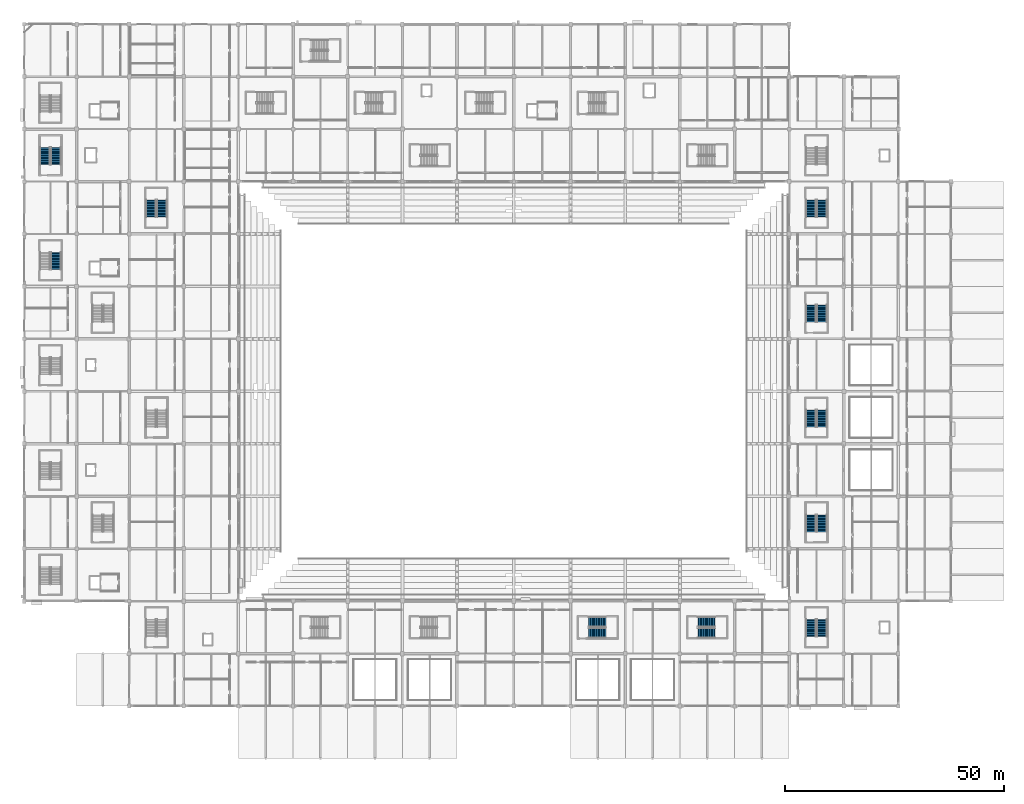
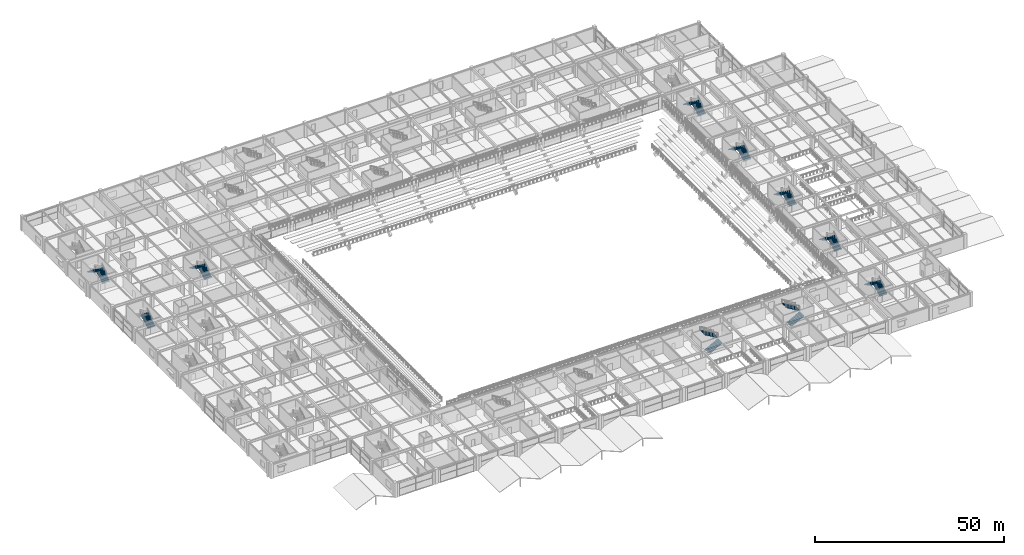
# One storey, part 95 of 134: 19 stair flights, 10 elements without a shape of their own.
"""IFC4 building model written with IfcOpenShell, lengths in metres."""

import ifcopenshell
import ifcopenshell.guid

model = None  # the IFC model being written
_history = None  # IfcOwnerHistory: only IFC2X3 demands one
_inside = {}  # id of a spatial element -> (the spatial element, [elements in it])
_under = {}  # id of a project, library or spatial element -> (it, [spatial elements below it])
_declared = {}  # id of a project -> (the project, [libraries it declares])
_typed = {}  # id of a type object -> (the type object, [elements of that type])
_made_of = {}  # id of a material, layer set ... -> (it, [elements and type objects made of it])


def new_model(schema):
    """Start an empty IFC model of exactly this schema.

    Asked for "IFC4X3", IfcOpenShell would pick the latest addendum, in which some entities
    have other attributes; the version numbers below select the first issue.
    IFC2X3 requires an IfcOwnerHistory on every rooted entity: one is made here for all.
    """
    global model, _history
    if schema == "IFC4X3":
        model = ifcopenshell.file(schema_version=(4, 3, 0, 0))
    else:
        model = ifcopenshell.file(schema=schema)
    _inside.clear()
    _under.clear()
    _declared.clear()
    _typed.clear()
    _made_of.clear()
    _history = None
    if model.schema == "IFC2X3":
        org = make("IfcOrganization", Name="unknown")
        user = make(
            "IfcPersonAndOrganization",
            ThePerson=make("IfcPerson", FamilyName="unknown"),
            TheOrganization=org,
        )
        app = make(
            "IfcApplication",
            ApplicationDeveloper=org,
            Version="unknown",
            ApplicationFullName="unknown",
            ApplicationIdentifier="unknown",
        )
        _history = make(
            "IfcOwnerHistory",
            OwningUser=user,
            OwningApplication=app,
            ChangeAction="ADDED",
            CreationDate=0,
        )
    return model


def make(cls, **values):
    """One entity of the class cls with the attributes given. An attribute that is None is left unset."""
    return model.create_entity(
        cls, **{name: value for name, value in values.items() if value is not None}
    )


def rooted(cls, **values):
    """An entity with a GlobalId (a new one), such as an element, a storey or a relation."""
    return make(cls, GlobalId=ifcopenshell.guid.new(), OwnerHistory=_history, **values)


def si_unit(unit_type, name, prefix=None):
    """IfcSIUnit, for example si_unit("LENGTHUNIT", "METRE", prefix="MILLI")."""
    return make("IfcSIUnit", UnitType=unit_type, Prefix=prefix, Name=name)


def assignment(units):
    """IfcUnitAssignment: the units of a project."""
    return None if units is None else make("IfcUnitAssignment", Units=units)


def point(xyz):
    """IfcCartesianPoint."""
    return None if xyz is None else make("IfcCartesianPoint", Coordinates=xyz)


def direction(xyz):
    """IfcDirection."""
    return None if xyz is None else make("IfcDirection", DirectionRatios=xyz)


def frame(location, z_axis=None, x_axis=None):
    """IfcAxis2Placement3D, a coordinate frame: its origin and axes. An axis left out is left unset."""
    return make(
        "IfcAxis2Placement3D",
        Location=point(location),
        Axis=direction(z_axis),
        RefDirection=direction(x_axis),
    )


def origin():
    """The frame at (0, 0, 0) with its axes left unset."""
    return frame((0.0, 0.0, 0.0))


def place(relative_to, where):
    """IfcLocalPlacement: puts the frame where relative to a parent placement (None: the world)."""
    return make(
        "IfcLocalPlacement", PlacementRelTo=relative_to, RelativePlacement=where
    )


def context(
    kind, dimensions, precision=None, world=None, true_north=None, identifier=None
):
    """IfcGeometricRepresentationContext, for example the 3D "Model" context."""
    return make(
        "IfcGeometricRepresentationContext",
        ContextIdentifier=identifier,
        ContextType=kind,
        CoordinateSpaceDimension=dimensions,
        Precision=precision,
        WorldCoordinateSystem=world,
        TrueNorth=true_north,
    )


def subcontext(parent, identifier, kind, view, scale=None):
    """IfcGeometricRepresentationSubContext, for example "Body" below "Model"."""
    return make(
        "IfcGeometricRepresentationSubContext",
        ContextIdentifier=identifier,
        ContextType=kind,
        ParentContext=parent,
        TargetScale=scale,
        TargetView=view,
    )


def project(units=None, contexts=None):
    """IfcProject with its units and contexts."""
    return rooted(
        "IfcProject",
        Name="project",
        RepresentationContexts=contexts,
        UnitsInContext=assignment(units),
    )


def spatial(cls, under=None, at=None, **own):
    """A site, building, storey or space (cls), placed at a placement, below another one or the project."""
    s = rooted(cls, ObjectPlacement=at, **own)
    if under is not None:
        _under.setdefault(under.id(), (under, []))[1].append(s)
    return s


def polyline(points):
    """IfcPolyline through the points."""
    return make("IfcPolyline", Points=[point(p) for p in points])


def outline(outer, holes=None, kind="AREA"):
    """IfcArbitraryClosedProfileDef: a profile drawn as a closed curve; with holes, ...WithVoids."""
    if holes is None:
        return make("IfcArbitraryClosedProfileDef", ProfileType=kind, OuterCurve=outer)
    return make(
        "IfcArbitraryProfileDefWithVoids",
        ProfileType=kind,
        OuterCurve=outer,
        InnerCurves=holes,
    )


def extrude(swept, where, along, depth):
    """IfcExtrudedAreaSolid: the profile swept, set in the frame where, extruded along a direction by depth."""
    return make(
        "IfcExtrudedAreaSolid",
        SweptArea=swept,
        Position=where,
        ExtrudedDirection=direction(along),
        Depth=depth,
    )


def shape(context_of_items, identifier, shape_type, items):
    """IfcShapeRepresentation: the items that make up one representation, for example the "Body"."""
    return make(
        "IfcShapeRepresentation",
        ContextOfItems=context_of_items,
        RepresentationIdentifier=identifier,
        RepresentationType=shape_type,
        Items=items,
    )


def material(Name=None, Category=None):
    """IfcMaterial."""
    return make("IfcMaterial", Name=Name, Category=Category)


def made_of(thing, what):
    """Note that an element or type object is made of a material, layer set ...; save() writes the relation."""
    if what is not None:
        _made_of.setdefault(what.id(), (what, []))[1].append(thing)
    return thing


def type_object(cls, material=None, **own):
    """A type object (cls), such as IfcWallType, which elements share."""
    return made_of(rooted(cls, **own), material)


def element(
    cls,
    number,
    at=None,
    inside=None,
    cuts=None,
    type_object=None,
    material=None,
    context=None,
    identifier="Body",
    shape_type=None,
    held_by="IfcProductDefinitionShape",
    body=None,
    shapes=None,
    **own,
):
    """One element of the class cls, such as IfcWall. Its Tag is "e" and its number.

    at: its placement. inside: the storey or other place that contains it. cuts: it is an
    opening in that element (IfcRelVoidsElement). A single representation is given by context,
    identifier, shape_type and body (its items); several are given by shapes. held_by: the class
    of the entity that holds the representations. save() writes the other relations.
    """
    e = rooted(cls, Tag="e%d" % number, ObjectPlacement=at, **own)
    if body is not None:
        shapes = [shape(context, identifier, shape_type, body)]
    if shapes is not None:
        e.Representation = make(held_by, Representations=shapes)
    if inside is not None:
        _inside.setdefault(inside.id(), (inside, []))[1].append(e)
    if cuts is not None:
        rooted(
            "IfcRelVoidsElement", RelatingBuildingElement=cuts, RelatedOpeningElement=e
        )
    if type_object is not None:
        _typed.setdefault(type_object.id(), (type_object, []))[1].append(e)
    return made_of(e, material)


def aggregate(whole, parts):
    """IfcRelAggregates: a whole, such as a stair, and the parts it consists of."""
    return rooted("IfcRelAggregates", RelatingObject=whole, RelatedObjects=parts)


def save(model, path):
    """Write the relations noted so far, then the file.

    IfcRelAggregates (storeys below a building ...), IfcRelContainedInSpatialStructure (elements
    in a storey), IfcRelDefinesByType, IfcRelAssociatesMaterial and IfcRelDeclares: one each for
    every whole, place, type object, material and project.
    """
    for whole, parts in _under.values():
        aggregate(whole, parts)
    for where, things in _inside.values():
        rooted(
            "IfcRelContainedInSpatialStructure",
            RelatedElements=things,
            RelatingStructure=where,
        )
    for kind, things in _typed.values():
        rooted("IfcRelDefinesByType", RelatedObjects=things, RelatingType=kind)
    for what, things in _made_of.values():
        rooted("IfcRelAssociatesMaterial", RelatedObjects=things, RelatingMaterial=what)
    for by, libraries in _declared.values():
        rooted("IfcRelDeclares", RelatingContext=by, RelatedDefinitions=libraries)
    model.write(path)


model = new_model("IFC4")

# Units and contexts
model_context = context("Model", 3, precision=1e-05, world=origin(), true_north=direction((0.0, 1.0)))
body_context = subcontext(model_context, "Body", "Model", "MODEL_VIEW")
ifc_project = project(units=[si_unit("LENGTHUNIT", "METRE"), si_unit("AREAUNIT", "SQUARE_METRE"), si_unit("VOLUMEUNIT", "CUBIC_METRE"), si_unit("PLANEANGLEUNIT", "RADIAN"), si_unit("MASSUNIT", "GRAM", prefix="KILO")], contexts=[model_context])

# Site, building, storey
site_placement = place(None, origin())
site = spatial("IfcSite", under=ifc_project, at=site_placement, CompositionType="ELEMENT")
building_placement = place(site_placement, origin())
building = spatial("IfcBuilding", under=site, at=building_placement, Name="Kazenohara Klinker Stadium", CompositionType="ELEMENT")
storey_placement = place(building_placement, frame((0.0, 0.0, 5.39990234375)))
storey = spatial("IfcBuildingStorey", under=building, at=storey_placement, Name="L01", CompositionType="ELEMENT", Elevation=5.39990234375)

# Stair, stair flights
ifc_material = material(Name="Concrete C40/50", Category="concrete")
stair_type_1 = type_object("IfcStairType", Name="STR-DL-2300", PredefinedType="HALF_TURN_STAIR", material=ifc_material)
stair_1_placement = place(storey_placement, origin())
stair_1 = element("IfcStair", 1, at=stair_1_placement, inside=storey, type_object=stair_type_1, Name="L01 Enclosed escape stair ST05", PredefinedType="HALF_TURN_STAIR")
stair_flight_type_1 = type_object("IfcStairFlightType", Name="FLT-DL-2300-4800", PredefinedType="STRAIGHT", material=ifc_material)
stair_flight_1_placement = place(storey_placement, frame((7.25, 135.840087890625, 0.0), z_axis=(0.0, 0.0, 1.0), x_axis=(0.0, 1.0, 0.0)))
stair_flight_1 = element("IfcStairFlight", 2, at=stair_flight_1_placement, type_object=stair_flight_type_1, Name="ST05 flight 1", NumberOfRisers=15, NumberOfTreads=14, PredefinedType="STRAIGHT", RiserHeight=0.16, TreadLength=0.28, context=body_context, shape_type="SweptSolid", body=[
    extrude(outline(polyline([(0.0, 0.0), (0.0, 0.159912109375), (0.280029296875, 0.159912109375), (0.280029296875, 0.320068359375), (0.56005859375, 0.320068359375), (0.56005859375, 0.47998046875), (0.840087890625, 0.47998046875), (0.840087890625, 0.639892578125), (1.1201171875, 0.639892578125), (1.1201171875, 0.800048828125), (1.39990234375, 0.800048828125), (1.39990234375, 0.9599609375), (1.679931640625, 0.9599609375), (1.679931640625, 1.1201171875), (1.9599609375, 1.1201171875), (1.9599609375, 1.280029296875), (2.239990234375, 1.280029296875), (2.239990234375, 1.43994140625), (2.52001953125, 1.43994140625), (2.52001953125, 1.60009765625), (2.800048828125, 1.60009765625), (2.800048828125, 1.760009765625), (3.080078125, 1.760009765625), (3.080078125, 1.919921875), (3.360107421875, 1.919921875), (3.360107421875, 2.080078125), (3.639892578125, 2.080078125), (3.639892578125, 2.239990234375), (3.919921875, 2.239990234375), (3.919921875, 2.39990234375), (3.919921875, 2.0673828125), (0.30224609375, 0.0), (0.0, 0.0)])), frame((0.0, 1.14990234375, 0.0), z_axis=(0.0, -1.0, 0.0), x_axis=(1.0, 0.0, 0.0)), (0.0, 0.0, 1.0), 2.300048828125),
])
stair_flight_2_placement = place(storey_placement, frame((4.75, 139.760009765625, 2.400146484375), z_axis=(0.0, 0.0, 1.0), x_axis=(0.0, -1.0, 0.0)))
stair_flight_2 = element("IfcStairFlight", 3, at=stair_flight_2_placement, type_object=stair_flight_type_1, Name="ST05 flight 2", NumberOfRisers=15, NumberOfTreads=14, PredefinedType="STRAIGHT", RiserHeight=0.16, TreadLength=0.28, context=body_context, shape_type="SweptSolid", body=[
    extrude(outline(polyline([(0.0, 0.0), (0.0, 0.159912109375), (0.280029296875, 0.159912109375), (0.280029296875, 0.320068359375), (0.56005859375, 0.320068359375), (0.56005859375, 0.47998046875), (0.840087890625, 0.47998046875), (0.840087890625, 0.639892578125), (1.1201171875, 0.639892578125), (1.1201171875, 0.800048828125), (1.39990234375, 0.800048828125), (1.39990234375, 0.9599609375), (1.679931640625, 0.9599609375), (1.679931640625, 1.1201171875), (1.9599609375, 1.1201171875), (1.9599609375, 1.280029296875), (2.239990234375, 1.280029296875), (2.239990234375, 1.43994140625), (2.52001953125, 1.43994140625), (2.52001953125, 1.60009765625), (2.800048828125, 1.60009765625), (2.800048828125, 1.760009765625), (3.080078125, 1.760009765625), (3.080078125, 1.919921875), (3.360107421875, 1.919921875), (3.360107421875, 2.080078125), (3.639892578125, 2.080078125), (3.639892578125, 2.239990234375), (3.919921875, 2.239990234375), (3.919921875, 2.39990234375), (3.919921875, 2.0673828125), (0.30224609375, 0.0), (0.0, 0.0)])), frame((0.0, 1.14990234375, 0.0), z_axis=(0.0, -1.0, 0.0), x_axis=(1.0, 0.0, 0.0)), (0.0, 0.0, 1.0), 2.300048828125),
])
aggregate(stair_1, [stair_flight_1, stair_flight_2])

stair_2_placement = place(storey_placement, origin())
stair_2 = element("IfcStair", 4, at=stair_2_placement, inside=storey, type_object=stair_type_1, Name="L01 Enclosed escape stair ST21", PredefinedType="HALF_TURN_STAIR")
stair_flight_3_placement = place(storey_placement, frame((182.5, 51.840087890625, 0.0), z_axis=(0.0, 0.0, 1.0), x_axis=(0.0, 1.0, 0.0)))
stair_flight_3 = element("IfcStairFlight", 5, at=stair_flight_3_placement, type_object=stair_flight_type_1, Name="ST21 flight 1", NumberOfRisers=15, NumberOfTreads=14, PredefinedType="STRAIGHT", RiserHeight=0.16, TreadLength=0.28, context=body_context, shape_type="SweptSolid", body=[
    extrude(outline(polyline([(0.0, 0.0), (0.0, 0.159912109375), (0.280029296875, 0.159912109375), (0.280029296875, 0.320068359375), (0.56005859375, 0.320068359375), (0.56005859375, 0.47998046875), (0.840087890625, 0.47998046875), (0.840087890625, 0.639892578125), (1.1201171875, 0.639892578125), (1.1201171875, 0.800048828125), (1.39990234375, 0.800048828125), (1.39990234375, 0.9599609375), (1.679931640625, 0.9599609375), (1.679931640625, 1.1201171875), (1.9599609375, 1.1201171875), (1.9599609375, 1.280029296875), (2.239990234375, 1.280029296875), (2.239990234375, 1.43994140625), (2.52001953125, 1.43994140625), (2.52001953125, 1.60009765625), (2.800048828125, 1.60009765625), (2.800048828125, 1.760009765625), (3.080078125, 1.760009765625), (3.080078125, 1.919921875), (3.360107421875, 1.919921875), (3.360107421875, 2.080078125), (3.639892578125, 2.080078125), (3.639892578125, 2.239990234375), (3.919921875, 2.239990234375), (3.919921875, 2.39990234375), (3.919921875, 2.0673828125), (0.30224609375, 0.0), (0.0, 0.0)])), frame((0.0, 1.14990234375, 0.0), z_axis=(0.0, -1.0, 0.0), x_axis=(1.0, 0.0, 0.0)), (0.0, 0.0, 1.0), 2.300048828125),
])
stair_flight_4_placement = place(storey_placement, frame((180.0, 55.760009765625, 2.400146484375), z_axis=(0.0, 0.0, 1.0), x_axis=(0.0, -1.0, 0.0)))
stair_flight_4 = element("IfcStairFlight", 6, at=stair_flight_4_placement, type_object=stair_flight_type_1, Name="ST21 flight 2", NumberOfRisers=15, NumberOfTreads=14, PredefinedType="STRAIGHT", RiserHeight=0.16, TreadLength=0.28, context=body_context, shape_type="SweptSolid", body=[
    extrude(outline(polyline([(0.0, 0.0), (0.0, 0.159912109375), (0.280029296875, 0.159912109375), (0.280029296875, 0.320068359375), (0.56005859375, 0.320068359375), (0.56005859375, 0.47998046875), (0.840087890625, 0.47998046875), (0.840087890625, 0.639892578125), (1.1201171875, 0.639892578125), (1.1201171875, 0.800048828125), (1.39990234375, 0.800048828125), (1.39990234375, 0.9599609375), (1.679931640625, 0.9599609375), (1.679931640625, 1.1201171875), (1.9599609375, 1.1201171875), (1.9599609375, 1.280029296875), (2.239990234375, 1.280029296875), (2.239990234375, 1.43994140625), (2.52001953125, 1.43994140625), (2.52001953125, 1.60009765625), (2.800048828125, 1.60009765625), (2.800048828125, 1.760009765625), (3.080078125, 1.760009765625), (3.080078125, 1.919921875), (3.360107421875, 1.919921875), (3.360107421875, 2.080078125), (3.639892578125, 2.080078125), (3.639892578125, 2.239990234375), (3.919921875, 2.239990234375), (3.919921875, 2.39990234375), (3.919921875, 2.0673828125), (0.30224609375, 0.0), (0.0, 0.0)])), frame((0.0, 1.14990234375, 0.0), z_axis=(0.0, -1.0, 0.0), x_axis=(1.0, 0.0, 0.0)), (0.0, 0.0, 1.0), 2.300048828125),
])
aggregate(stair_2, [stair_flight_3, stair_flight_4])

stair_type_2 = type_object("IfcStairType", Name="STR-DL-2310", PredefinedType="HALF_TURN_STAIR", material=ifc_material)
stair_3_placement = place(storey_placement, origin())
stair_3 = element("IfcStair", 7, at=stair_3_placement, inside=storey, type_object=stair_type_2, Name="L01 Enclosed escape stair ST18", PredefinedType="HALF_TURN_STAIR")
stair_flight_type_2 = type_object("IfcStairFlightType", Name="FLT-DL-2310-4800", PredefinedType="STRAIGHT", material=ifc_material)
stair_flight_5_placement = place(storey_placement, frame((31.5048828125, 123.85009765625, 0.0), z_axis=(0.0, 0.0, 1.0), x_axis=(0.0, 1.0, 0.0)))
stair_flight_5 = element("IfcStairFlight", 8, at=stair_flight_5_placement, type_object=stair_flight_type_2, Name="ST18 flight 1", NumberOfRisers=15, NumberOfTreads=14, PredefinedType="STRAIGHT", RiserHeight=0.16, TreadLength=0.28, context=body_context, shape_type="SweptSolid", body=[
    extrude(outline(polyline([(0.0, 0.0), (0.0, 0.159912109375), (0.280029296875, 0.159912109375), (0.280029296875, 0.320068359375), (0.56005859375, 0.320068359375), (0.56005859375, 0.47998046875), (0.840087890625, 0.47998046875), (0.840087890625, 0.639892578125), (1.1201171875, 0.639892578125), (1.1201171875, 0.800048828125), (1.39990234375, 0.800048828125), (1.39990234375, 0.9599609375), (1.679931640625, 0.9599609375), (1.679931640625, 1.1201171875), (1.9599609375, 1.1201171875), (1.9599609375, 1.280029296875), (2.239990234375, 1.280029296875), (2.239990234375, 1.43994140625), (2.52001953125, 1.43994140625), (2.52001953125, 1.60009765625), (2.800048828125, 1.60009765625), (2.800048828125, 1.760009765625), (3.080078125, 1.760009765625), (3.080078125, 1.919921875), (3.360107421875, 1.919921875), (3.360107421875, 2.080078125), (3.639892578125, 2.080078125), (3.639892578125, 2.239990234375), (3.919921875, 2.239990234375), (3.919921875, 2.39990234375), (3.919921875, 2.0673828125), (0.30224609375, 0.0), (0.0, 0.0)])), frame((0.0, 1.155029296875, 0.0), z_axis=(0.0, -1.0, 0.0), x_axis=(1.0, 0.0, 0.0)), (0.0, 0.0, 1.0), 2.31005859375),
])
stair_flight_6_placement = place(storey_placement, frame((28.9951171875, 127.77001953125, 2.400146484375), z_axis=(0.0, 0.0, 1.0), x_axis=(0.0, -1.0, 0.0)))
stair_flight_6 = element("IfcStairFlight", 9, at=stair_flight_6_placement, type_object=stair_flight_type_2, Name="ST18 flight 2", NumberOfRisers=15, NumberOfTreads=14, PredefinedType="STRAIGHT", RiserHeight=0.16, TreadLength=0.28, context=body_context, shape_type="SweptSolid", body=[
    extrude(outline(polyline([(0.0, 0.0), (0.0, 0.159912109375), (0.280029296875, 0.159912109375), (0.280029296875, 0.320068359375), (0.56005859375, 0.320068359375), (0.56005859375, 0.47998046875), (0.840087890625, 0.47998046875), (0.840087890625, 0.639892578125), (1.1201171875, 0.639892578125), (1.1201171875, 0.800048828125), (1.39990234375, 0.800048828125), (1.39990234375, 0.9599609375), (1.679931640625, 0.9599609375), (1.679931640625, 1.1201171875), (1.9599609375, 1.1201171875), (1.9599609375, 1.280029296875), (2.239990234375, 1.280029296875), (2.239990234375, 1.43994140625), (2.52001953125, 1.43994140625), (2.52001953125, 1.60009765625), (2.800048828125, 1.60009765625), (2.800048828125, 1.760009765625), (3.080078125, 1.760009765625), (3.080078125, 1.919921875), (3.360107421875, 1.919921875), (3.360107421875, 2.080078125), (3.639892578125, 2.080078125), (3.639892578125, 2.239990234375), (3.919921875, 2.239990234375), (3.919921875, 2.39990234375), (3.919921875, 2.0673828125), (0.30224609375, 0.0), (0.0, 0.0)])), frame((0.0, 1.155029296875, 0.0), z_axis=(0.0, -1.0, 0.0), x_axis=(1.0, 0.0, 0.0)), (0.0, 0.0, 1.0), 2.31005859375),
])
aggregate(stair_3, [stair_flight_5, stair_flight_6])

stair_4_placement = place(storey_placement, origin())
stair_4 = element("IfcStair", 10, at=stair_4_placement, inside=storey, type_object=stair_type_2, Name="L01 Enclosed escape stair ST22", PredefinedType="HALF_TURN_STAIR")
stair_flight_7_placement = place(storey_placement, frame((182.5048828125, 75.85009765625, 0.0), z_axis=(0.0, 0.0, 1.0), x_axis=(0.0, 1.0, 0.0)))
stair_flight_7 = element("IfcStairFlight", 11, at=stair_flight_7_placement, type_object=stair_flight_type_2, Name="ST22 flight 1", NumberOfRisers=15, NumberOfTreads=14, PredefinedType="STRAIGHT", RiserHeight=0.16, TreadLength=0.28, context=body_context, shape_type="SweptSolid", body=[
    extrude(outline(polyline([(0.0, 0.0), (0.0, 0.159912109375), (0.280029296875, 0.159912109375), (0.280029296875, 0.320068359375), (0.56005859375, 0.320068359375), (0.56005859375, 0.47998046875), (0.840087890625, 0.47998046875), (0.840087890625, 0.639892578125), (1.1201171875, 0.639892578125), (1.1201171875, 0.800048828125), (1.39990234375, 0.800048828125), (1.39990234375, 0.9599609375), (1.679931640625, 0.9599609375), (1.679931640625, 1.1201171875), (1.9599609375, 1.1201171875), (1.9599609375, 1.280029296875), (2.239990234375, 1.280029296875), (2.239990234375, 1.43994140625), (2.52001953125, 1.43994140625), (2.52001953125, 1.60009765625), (2.800048828125, 1.60009765625), (2.800048828125, 1.760009765625), (3.080078125, 1.760009765625), (3.080078125, 1.919921875), (3.360107421875, 1.919921875), (3.360107421875, 2.080078125), (3.639892578125, 2.080078125), (3.639892578125, 2.239990234375), (3.919921875, 2.239990234375), (3.919921875, 2.39990234375), (3.919921875, 2.0673828125), (0.30224609375, 0.0), (0.0, 0.0)])), frame((0.0, 1.155029296875, 0.0), z_axis=(0.0, -1.0, 0.0), x_axis=(1.0, 0.0, 0.0)), (0.0, 0.0, 1.0), 2.31005859375),
])
stair_flight_8_placement = place(storey_placement, frame((179.9951171875, 79.77001953125, 2.400146484375), z_axis=(0.0, 0.0, 1.0), x_axis=(0.0, -1.0, 0.0)))
stair_flight_8 = element("IfcStairFlight", 12, at=stair_flight_8_placement, type_object=stair_flight_type_2, Name="ST22 flight 2", NumberOfRisers=15, NumberOfTreads=14, PredefinedType="STRAIGHT", RiserHeight=0.16, TreadLength=0.28, context=body_context, shape_type="SweptSolid", body=[
    extrude(outline(polyline([(0.0, 0.0), (0.0, 0.159912109375), (0.280029296875, 0.159912109375), (0.280029296875, 0.320068359375), (0.56005859375, 0.320068359375), (0.56005859375, 0.47998046875), (0.840087890625, 0.47998046875), (0.840087890625, 0.639892578125), (1.1201171875, 0.639892578125), (1.1201171875, 0.800048828125), (1.39990234375, 0.800048828125), (1.39990234375, 0.9599609375), (1.679931640625, 0.9599609375), (1.679931640625, 1.1201171875), (1.9599609375, 1.1201171875), (1.9599609375, 1.280029296875), (2.239990234375, 1.280029296875), (2.239990234375, 1.43994140625), (2.52001953125, 1.43994140625), (2.52001953125, 1.60009765625), (2.800048828125, 1.60009765625), (2.800048828125, 1.760009765625), (3.080078125, 1.760009765625), (3.080078125, 1.919921875), (3.360107421875, 1.919921875), (3.360107421875, 2.080078125), (3.639892578125, 2.080078125), (3.639892578125, 2.239990234375), (3.919921875, 2.239990234375), (3.919921875, 2.39990234375), (3.919921875, 2.0673828125), (0.30224609375, 0.0), (0.0, 0.0)])), frame((0.0, 1.155029296875, 0.0), z_axis=(0.0, -1.0, 0.0), x_axis=(1.0, 0.0, 0.0)), (0.0, 0.0, 1.0), 2.31005859375),
])
aggregate(stair_4, [stair_flight_7, stair_flight_8])

stair_type_3 = type_object("IfcStairType", Name="STR-DL-2330", PredefinedType="HALF_TURN_STAIR", material=ifc_material)
stair_5_placement = place(storey_placement, origin())
stair_5 = element("IfcStair", 13, at=stair_5_placement, inside=storey, type_object=stair_type_3, Name="L01 Enclosed escape stair ST23", PredefinedType="HALF_TURN_STAIR")
stair_flight_type_3 = type_object("IfcStairFlightType", Name="FLT-DL-2330-4800", PredefinedType="STRAIGHT", material=ifc_material)
stair_flight_9_placement = place(storey_placement, frame((182.514892578125, 99.8701171875, 0.0), z_axis=(0.0, 0.0, 1.0), x_axis=(0.0, 1.0, 0.0)))
stair_flight_9 = element("IfcStairFlight", 14, at=stair_flight_9_placement, type_object=stair_flight_type_3, Name="ST23 flight 1", NumberOfRisers=15, NumberOfTreads=14, PredefinedType="STRAIGHT", RiserHeight=0.16, TreadLength=0.28, context=body_context, shape_type="SweptSolid", body=[
    extrude(outline(polyline([(0.0, 0.0), (0.0, 0.159912109375), (0.280029296875, 0.159912109375), (0.280029296875, 0.320068359375), (0.56005859375, 0.320068359375), (0.56005859375, 0.47998046875), (0.840087890625, 0.47998046875), (0.840087890625, 0.639892578125), (1.1201171875, 0.639892578125), (1.1201171875, 0.800048828125), (1.39990234375, 0.800048828125), (1.39990234375, 0.9599609375), (1.679931640625, 0.9599609375), (1.679931640625, 1.1201171875), (1.9599609375, 1.1201171875), (1.9599609375, 1.280029296875), (2.239990234375, 1.280029296875), (2.239990234375, 1.43994140625), (2.52001953125, 1.43994140625), (2.52001953125, 1.60009765625), (2.800048828125, 1.60009765625), (2.800048828125, 1.760009765625), (3.080078125, 1.760009765625), (3.080078125, 1.919921875), (3.360107421875, 1.919921875), (3.360107421875, 2.080078125), (3.639892578125, 2.080078125), (3.639892578125, 2.239990234375), (3.919921875, 2.239990234375), (3.919921875, 2.39990234375), (3.919921875, 2.0673828125), (0.30224609375, 0.0), (0.0, 0.0)])), frame((0.0, 1.1650390625, 0.0), z_axis=(0.0, -1.0, 0.0), x_axis=(1.0, 0.0, 0.0)), (0.0, 0.0, 1.0), 2.330078125),
])
stair_flight_10_placement = place(storey_placement, frame((179.985107421875, 103.7900390625, 2.400146484375), z_axis=(0.0, 0.0, 1.0), x_axis=(0.0, -1.0, 0.0)))
stair_flight_10 = element("IfcStairFlight", 15, at=stair_flight_10_placement, type_object=stair_flight_type_3, Name="ST23 flight 2", NumberOfRisers=15, NumberOfTreads=14, PredefinedType="STRAIGHT", RiserHeight=0.16, TreadLength=0.28, context=body_context, shape_type="SweptSolid", body=[
    extrude(outline(polyline([(0.0, 0.0), (0.0, 0.159912109375), (0.280029296875, 0.159912109375), (0.280029296875, 0.320068359375), (0.56005859375, 0.320068359375), (0.56005859375, 0.47998046875), (0.840087890625, 0.47998046875), (0.840087890625, 0.639892578125), (1.1201171875, 0.639892578125), (1.1201171875, 0.800048828125), (1.39990234375, 0.800048828125), (1.39990234375, 0.9599609375), (1.679931640625, 0.9599609375), (1.679931640625, 1.1201171875), (1.9599609375, 1.1201171875), (1.9599609375, 1.280029296875), (2.239990234375, 1.280029296875), (2.239990234375, 1.43994140625), (2.52001953125, 1.43994140625), (2.52001953125, 1.60009765625), (2.800048828125, 1.60009765625), (2.800048828125, 1.760009765625), (3.080078125, 1.760009765625), (3.080078125, 1.919921875), (3.360107421875, 1.919921875), (3.360107421875, 2.080078125), (3.639892578125, 2.080078125), (3.639892578125, 2.239990234375), (3.919921875, 2.239990234375), (3.919921875, 2.39990234375), (3.919921875, 2.0673828125), (0.30224609375, 0.0), (0.0, 0.0)])), frame((0.0, 1.1650390625, 0.0), z_axis=(0.0, -1.0, 0.0), x_axis=(1.0, 0.0, 0.0)), (0.0, 0.0, 1.0), 2.330078125),
])
aggregate(stair_5, [stair_flight_9, stair_flight_10])

stair_6_placement = place(storey_placement, origin())
stair_6 = element("IfcStair", 16, at=stair_6_placement, inside=storey, type_object=stair_type_3, Name="L01 Enclosed escape stair ST27", PredefinedType="HALF_TURN_STAIR")
stair_flight_11_placement = place(storey_placement, frame((129.1201171875, 28.735107421875, 0.0), z_axis=(0.0, 0.0, 1.0), x_axis=(1.0, 0.0, 0.0)))
stair_flight_11 = element("IfcStairFlight", 17, at=stair_flight_11_placement, type_object=stair_flight_type_3, Name="ST27 flight 1", NumberOfRisers=15, NumberOfTreads=14, PredefinedType="STRAIGHT", RiserHeight=0.16, TreadLength=0.28, context=body_context, shape_type="SweptSolid", body=[
    extrude(outline(polyline([(0.0, 0.0), (0.0, 0.159912109375), (0.280029296875, 0.159912109375), (0.280029296875, 0.320068359375), (0.56005859375, 0.320068359375), (0.56005859375, 0.47998046875), (0.840087890625, 0.47998046875), (0.840087890625, 0.639892578125), (1.1201171875, 0.639892578125), (1.1201171875, 0.800048828125), (1.39990234375, 0.800048828125), (1.39990234375, 0.9599609375), (1.679931640625, 0.9599609375), (1.679931640625, 1.1201171875), (1.9599609375, 1.1201171875), (1.9599609375, 1.280029296875), (2.239990234375, 1.280029296875), (2.239990234375, 1.43994140625), (2.52001953125, 1.43994140625), (2.52001953125, 1.60009765625), (2.800048828125, 1.60009765625), (2.800048828125, 1.760009765625), (3.080078125, 1.760009765625), (3.080078125, 1.919921875), (3.360107421875, 1.919921875), (3.360107421875, 2.080078125), (3.639892578125, 2.080078125), (3.639892578125, 2.239990234375), (3.919921875, 2.239990234375), (3.919921875, 2.39990234375), (3.919921875, 2.0673828125), (0.30224609375, 0.0), (0.0, 0.0)])), frame((0.0, 1.1650390625, 0.0), z_axis=(0.0, -1.0, 0.0), x_axis=(1.0, 0.0, 0.0)), (0.0, 0.0, 1.0), 2.330078125),
])
stair_flight_12_placement = place(storey_placement, frame((133.0400390625, 31.264892578125, 2.400146484375), z_axis=(0.0, 0.0, 1.0), x_axis=(-1.0, 0.0, 0.0)))
stair_flight_12 = element("IfcStairFlight", 18, at=stair_flight_12_placement, type_object=stair_flight_type_3, Name="ST27 flight 2", NumberOfRisers=15, NumberOfTreads=14, PredefinedType="STRAIGHT", RiserHeight=0.16, TreadLength=0.28, context=body_context, shape_type="SweptSolid", body=[
    extrude(outline(polyline([(0.0, 0.0), (0.0, 0.159912109375), (0.280029296875, 0.159912109375), (0.280029296875, 0.320068359375), (0.56005859375, 0.320068359375), (0.56005859375, 0.47998046875), (0.840087890625, 0.47998046875), (0.840087890625, 0.639892578125), (1.1201171875, 0.639892578125), (1.1201171875, 0.800048828125), (1.39990234375, 0.800048828125), (1.39990234375, 0.9599609375), (1.679931640625, 0.9599609375), (1.679931640625, 1.1201171875), (1.9599609375, 1.1201171875), (1.9599609375, 1.280029296875), (2.239990234375, 1.280029296875), (2.239990234375, 1.43994140625), (2.52001953125, 1.43994140625), (2.52001953125, 1.60009765625), (2.800048828125, 1.60009765625), (2.800048828125, 1.760009765625), (3.080078125, 1.760009765625), (3.080078125, 1.919921875), (3.360107421875, 1.919921875), (3.360107421875, 2.080078125), (3.639892578125, 2.080078125), (3.639892578125, 2.239990234375), (3.919921875, 2.239990234375), (3.919921875, 2.39990234375), (3.919921875, 2.0673828125), (0.30224609375, 0.0), (0.0, 0.0)])), frame((0.0, 1.1650390625, 0.0), z_axis=(0.0, -1.0, 0.0), x_axis=(1.0, 0.0, 0.0)), (0.0, 0.0, 1.0), 2.330078125),
])
aggregate(stair_6, [stair_flight_11, stair_flight_12])

# Stair, stair flight
stair_type_4 = type_object("IfcStairType", Name="STR-DL-2340", PredefinedType="HALF_TURN_STAIR", material=ifc_material)
stair_7_placement = place(storey_placement, origin())
stair_7 = element("IfcStair", 19, at=stair_7_placement, inside=storey, type_object=stair_type_4, Name="L01 Enclosed escape stair ST04", PredefinedType="HALF_TURN_STAIR")
stair_flight_type_4 = type_object("IfcStairFlightType", Name="FLT-DL-2340-4800", PredefinedType="STRAIGHT", material=ifc_material)
stair_flight_13_placement = place(storey_placement, frame((7.27001953125, 111.8798828125, 0.0), z_axis=(0.0, 0.0, 1.0), x_axis=(0.0, 1.0, 0.0)))
stair_flight_13 = element("IfcStairFlight", 20, at=stair_flight_13_placement, type_object=stair_flight_type_4, Name="ST04 flight 1", NumberOfRisers=15, NumberOfTreads=14, PredefinedType="STRAIGHT", RiserHeight=0.16, TreadLength=0.28, context=body_context, shape_type="SweptSolid", body=[
    extrude(outline(polyline([(0.0, 0.0), (0.0, 0.159912109375), (0.280029296875, 0.159912109375), (0.280029296875, 0.320068359375), (0.56005859375, 0.320068359375), (0.56005859375, 0.47998046875), (0.840087890625, 0.47998046875), (0.840087890625, 0.639892578125), (1.1201171875, 0.639892578125), (1.1201171875, 0.800048828125), (1.39990234375, 0.800048828125), (1.39990234375, 0.9599609375), (1.679931640625, 0.9599609375), (1.679931640625, 1.1201171875), (1.9599609375, 1.1201171875), (1.9599609375, 1.280029296875), (2.239990234375, 1.280029296875), (2.239990234375, 1.43994140625), (2.52001953125, 1.43994140625), (2.52001953125, 1.60009765625), (2.800048828125, 1.60009765625), (2.800048828125, 1.760009765625), (3.080078125, 1.760009765625), (3.080078125, 1.919921875), (3.360107421875, 1.919921875), (3.360107421875, 2.080078125), (3.639892578125, 2.080078125), (3.639892578125, 2.239990234375), (3.919921875, 2.239990234375), (3.919921875, 2.39990234375), (3.919921875, 2.0673828125), (0.30224609375, 0.0), (0.0, 0.0)])), frame((0.0, 1.169921875, 0.0), z_axis=(0.0, -1.0, 0.0), x_axis=(1.0, 0.0, 0.0)), (0.0, 0.0, 1.0), 2.340087890625),
])
aggregate(stair_7, [stair_flight_13])

# Stair, stair flights
stair_8_placement = place(storey_placement, origin())
stair_8 = element("IfcStair", 21, at=stair_8_placement, inside=storey, type_object=stair_type_4, Name="L01 Enclosed escape stair ST16", PredefinedType="HALF_TURN_STAIR")
stair_flight_14_placement = place(storey_placement, frame((182.52001953125, 27.8798828125, 0.0), z_axis=(0.0, 0.0, 1.0), x_axis=(0.0, 1.0, 0.0)))
stair_flight_14 = element("IfcStairFlight", 22, at=stair_flight_14_placement, type_object=stair_flight_type_4, Name="ST16 flight 1", NumberOfRisers=15, NumberOfTreads=14, PredefinedType="STRAIGHT", RiserHeight=0.16, TreadLength=0.28, context=body_context, shape_type="SweptSolid", body=[
    extrude(outline(polyline([(0.0, 0.0), (0.0, 0.159912109375), (0.280029296875, 0.159912109375), (0.280029296875, 0.320068359375), (0.56005859375, 0.320068359375), (0.56005859375, 0.47998046875), (0.840087890625, 0.47998046875), (0.840087890625, 0.639892578125), (1.1201171875, 0.639892578125), (1.1201171875, 0.800048828125), (1.39990234375, 0.800048828125), (1.39990234375, 0.9599609375), (1.679931640625, 0.9599609375), (1.679931640625, 1.1201171875), (1.9599609375, 1.1201171875), (1.9599609375, 1.280029296875), (2.239990234375, 1.280029296875), (2.239990234375, 1.43994140625), (2.52001953125, 1.43994140625), (2.52001953125, 1.60009765625), (2.800048828125, 1.60009765625), (2.800048828125, 1.760009765625), (3.080078125, 1.760009765625), (3.080078125, 1.919921875), (3.360107421875, 1.919921875), (3.360107421875, 2.080078125), (3.639892578125, 2.080078125), (3.639892578125, 2.239990234375), (3.919921875, 2.239990234375), (3.919921875, 2.39990234375), (3.919921875, 2.0673828125), (0.30224609375, 0.0), (0.0, 0.0)])), frame((0.0, 1.169921875, 0.0), z_axis=(0.0, -1.0, 0.0), x_axis=(1.0, 0.0, 0.0)), (0.0, 0.0, 1.0), 2.340087890625),
])
stair_flight_15_placement = place(storey_placement, frame((179.97998046875, 31.800048828125, 2.400146484375), z_axis=(0.0, 0.0, 1.0), x_axis=(0.0, -1.0, 0.0)))
stair_flight_15 = element("IfcStairFlight", 23, at=stair_flight_15_placement, type_object=stair_flight_type_4, Name="ST16 flight 2", NumberOfRisers=15, NumberOfTreads=14, PredefinedType="STRAIGHT", RiserHeight=0.16, TreadLength=0.28, context=body_context, shape_type="SweptSolid", body=[
    extrude(outline(polyline([(0.0, 0.0), (0.0, 0.159912109375), (0.280029296875, 0.159912109375), (0.280029296875, 0.320068359375), (0.56005859375, 0.320068359375), (0.56005859375, 0.47998046875), (0.840087890625, 0.47998046875), (0.840087890625, 0.639892578125), (1.1201171875, 0.639892578125), (1.1201171875, 0.800048828125), (1.39990234375, 0.800048828125), (1.39990234375, 0.9599609375), (1.679931640625, 0.9599609375), (1.679931640625, 1.1201171875), (1.9599609375, 1.1201171875), (1.9599609375, 1.280029296875), (2.239990234375, 1.280029296875), (2.239990234375, 1.43994140625), (2.52001953125, 1.43994140625), (2.52001953125, 1.60009765625), (2.800048828125, 1.60009765625), (2.800048828125, 1.760009765625), (3.080078125, 1.760009765625), (3.080078125, 1.919921875), (3.360107421875, 1.919921875), (3.360107421875, 2.080078125), (3.639892578125, 2.080078125), (3.639892578125, 2.239990234375), (3.919921875, 2.239990234375), (3.919921875, 2.39990234375), (3.919921875, 2.0673828125), (0.30224609375, 0.0), (0.0, 0.0)])), frame((0.0, 1.169921875, 0.0), z_axis=(0.0, -1.0, 0.0), x_axis=(1.0, 0.0, 0.0)), (0.0, 0.0, 1.0), 2.340087890625),
])
aggregate(stair_8, [stair_flight_14, stair_flight_15])

stair_9_placement = place(storey_placement, origin())
stair_9 = element("IfcStair", 24, at=stair_9_placement, inside=storey, type_object=stair_type_4, Name="L01 Enclosed escape stair ST24", PredefinedType="HALF_TURN_STAIR")
stair_flight_16_placement = place(storey_placement, frame((182.52001953125, 123.8798828125, 0.0), z_axis=(0.0, 0.0, 1.0), x_axis=(0.0, 1.0, 0.0)))
stair_flight_16 = element("IfcStairFlight", 25, at=stair_flight_16_placement, type_object=stair_flight_type_4, Name="ST24 flight 1", NumberOfRisers=15, NumberOfTreads=14, PredefinedType="STRAIGHT", RiserHeight=0.16, TreadLength=0.28, context=body_context, shape_type="SweptSolid", body=[
    extrude(outline(polyline([(0.0, 0.0), (0.0, 0.159912109375), (0.280029296875, 0.159912109375), (0.280029296875, 0.320068359375), (0.56005859375, 0.320068359375), (0.56005859375, 0.47998046875), (0.840087890625, 0.47998046875), (0.840087890625, 0.639892578125), (1.1201171875, 0.639892578125), (1.1201171875, 0.800048828125), (1.39990234375, 0.800048828125), (1.39990234375, 0.9599609375), (1.679931640625, 0.9599609375), (1.679931640625, 1.1201171875), (1.9599609375, 1.1201171875), (1.9599609375, 1.280029296875), (2.239990234375, 1.280029296875), (2.239990234375, 1.43994140625), (2.52001953125, 1.43994140625), (2.52001953125, 1.60009765625), (2.800048828125, 1.60009765625), (2.800048828125, 1.760009765625), (3.080078125, 1.760009765625), (3.080078125, 1.919921875), (3.360107421875, 1.919921875), (3.360107421875, 2.080078125), (3.639892578125, 2.080078125), (3.639892578125, 2.239990234375), (3.919921875, 2.239990234375), (3.919921875, 2.39990234375), (3.919921875, 2.0673828125), (0.30224609375, 0.0), (0.0, 0.0)])), frame((0.0, 1.169921875, 0.0), z_axis=(0.0, -1.0, 0.0), x_axis=(1.0, 0.0, 0.0)), (0.0, 0.0, 1.0), 2.340087890625),
])
stair_flight_17_placement = place(storey_placement, frame((179.97998046875, 127.800048828125, 2.400146484375), z_axis=(0.0, 0.0, 1.0), x_axis=(0.0, -1.0, 0.0)))
stair_flight_17 = element("IfcStairFlight", 26, at=stair_flight_17_placement, type_object=stair_flight_type_4, Name="ST24 flight 2", NumberOfRisers=15, NumberOfTreads=14, PredefinedType="STRAIGHT", RiserHeight=0.16, TreadLength=0.28, context=body_context, shape_type="SweptSolid", body=[
    extrude(outline(polyline([(0.0, 0.0), (0.0, 0.159912109375), (0.280029296875, 0.159912109375), (0.280029296875, 0.320068359375), (0.56005859375, 0.320068359375), (0.56005859375, 0.47998046875), (0.840087890625, 0.47998046875), (0.840087890625, 0.639892578125), (1.1201171875, 0.639892578125), (1.1201171875, 0.800048828125), (1.39990234375, 0.800048828125), (1.39990234375, 0.9599609375), (1.679931640625, 0.9599609375), (1.679931640625, 1.1201171875), (1.9599609375, 1.1201171875), (1.9599609375, 1.280029296875), (2.239990234375, 1.280029296875), (2.239990234375, 1.43994140625), (2.52001953125, 1.43994140625), (2.52001953125, 1.60009765625), (2.800048828125, 1.60009765625), (2.800048828125, 1.760009765625), (3.080078125, 1.760009765625), (3.080078125, 1.919921875), (3.360107421875, 1.919921875), (3.360107421875, 2.080078125), (3.639892578125, 2.080078125), (3.639892578125, 2.239990234375), (3.919921875, 2.239990234375), (3.919921875, 2.39990234375), (3.919921875, 2.0673828125), (0.30224609375, 0.0), (0.0, 0.0)])), frame((0.0, 1.169921875, 0.0), z_axis=(0.0, -1.0, 0.0), x_axis=(1.0, 0.0, 0.0)), (0.0, 0.0, 1.0), 2.340087890625),
])
aggregate(stair_9, [stair_flight_16, stair_flight_17])

stair_10_placement = place(storey_placement, origin())
stair_10 = element("IfcStair", 27, at=stair_10_placement, inside=storey, type_object=stair_type_4, Name="L01 Enclosed escape stair ST28", PredefinedType="HALF_TURN_STAIR")
stair_flight_18_placement = place(storey_placement, frame((154.1298828125, 28.72998046875, 0.0), z_axis=(0.0, 0.0, 1.0), x_axis=(1.0, 0.0, 0.0)))
stair_flight_18 = element("IfcStairFlight", 28, at=stair_flight_18_placement, type_object=stair_flight_type_4, Name="ST28 flight 1", NumberOfRisers=15, NumberOfTreads=14, PredefinedType="STRAIGHT", RiserHeight=0.16, TreadLength=0.28, context=body_context, shape_type="SweptSolid", body=[
    extrude(outline(polyline([(0.0, 0.0), (0.0, 0.159912109375), (0.280029296875, 0.159912109375), (0.280029296875, 0.320068359375), (0.56005859375, 0.320068359375), (0.56005859375, 0.47998046875), (0.840087890625, 0.47998046875), (0.840087890625, 0.639892578125), (1.1201171875, 0.639892578125), (1.1201171875, 0.800048828125), (1.39990234375, 0.800048828125), (1.39990234375, 0.9599609375), (1.679931640625, 0.9599609375), (1.679931640625, 1.1201171875), (1.9599609375, 1.1201171875), (1.9599609375, 1.280029296875), (2.239990234375, 1.280029296875), (2.239990234375, 1.43994140625), (2.52001953125, 1.43994140625), (2.52001953125, 1.60009765625), (2.800048828125, 1.60009765625), (2.800048828125, 1.760009765625), (3.080078125, 1.760009765625), (3.080078125, 1.919921875), (3.360107421875, 1.919921875), (3.360107421875, 2.080078125), (3.639892578125, 2.080078125), (3.639892578125, 2.239990234375), (3.919921875, 2.239990234375), (3.919921875, 2.39990234375), (3.919921875, 2.0673828125), (0.30224609375, 0.0), (0.0, 0.0)])), frame((0.0, 1.169921875, 0.0), z_axis=(0.0, -1.0, 0.0), x_axis=(1.0, 0.0, 0.0)), (0.0, 0.0, 1.0), 2.340087890625),
])
stair_flight_19_placement = place(storey_placement, frame((158.050048828125, 31.27001953125, 2.400146484375), z_axis=(0.0, 0.0, 1.0), x_axis=(-1.0, 0.0, 0.0)))
stair_flight_19 = element("IfcStairFlight", 29, at=stair_flight_19_placement, type_object=stair_flight_type_4, Name="ST28 flight 2", NumberOfRisers=15, NumberOfTreads=14, PredefinedType="STRAIGHT", RiserHeight=0.16, TreadLength=0.28, context=body_context, shape_type="SweptSolid", body=[
    extrude(outline(polyline([(0.0, 0.0), (0.0, 0.159912109375), (0.280029296875, 0.159912109375), (0.280029296875, 0.320068359375), (0.56005859375, 0.320068359375), (0.56005859375, 0.47998046875), (0.840087890625, 0.47998046875), (0.840087890625, 0.639892578125), (1.1201171875, 0.639892578125), (1.1201171875, 0.800048828125), (1.39990234375, 0.800048828125), (1.39990234375, 0.9599609375), (1.679931640625, 0.9599609375), (1.679931640625, 1.1201171875), (1.9599609375, 1.1201171875), (1.9599609375, 1.280029296875), (2.239990234375, 1.280029296875), (2.239990234375, 1.43994140625), (2.52001953125, 1.43994140625), (2.52001953125, 1.60009765625), (2.800048828125, 1.60009765625), (2.800048828125, 1.760009765625), (3.080078125, 1.760009765625), (3.080078125, 1.919921875), (3.360107421875, 1.919921875), (3.360107421875, 2.080078125), (3.639892578125, 2.080078125), (3.639892578125, 2.239990234375), (3.919921875, 2.239990234375), (3.919921875, 2.39990234375), (3.919921875, 2.0673828125), (0.30224609375, 0.0), (0.0, 0.0)])), frame((0.0, 1.169921875, 0.0), z_axis=(0.0, -1.0, 0.0), x_axis=(1.0, 0.0, 0.0)), (0.0, 0.0, 1.0), 2.340087890625),
])
aggregate(stair_10, [stair_flight_18, stair_flight_19])

save(model, "model.ifc")
